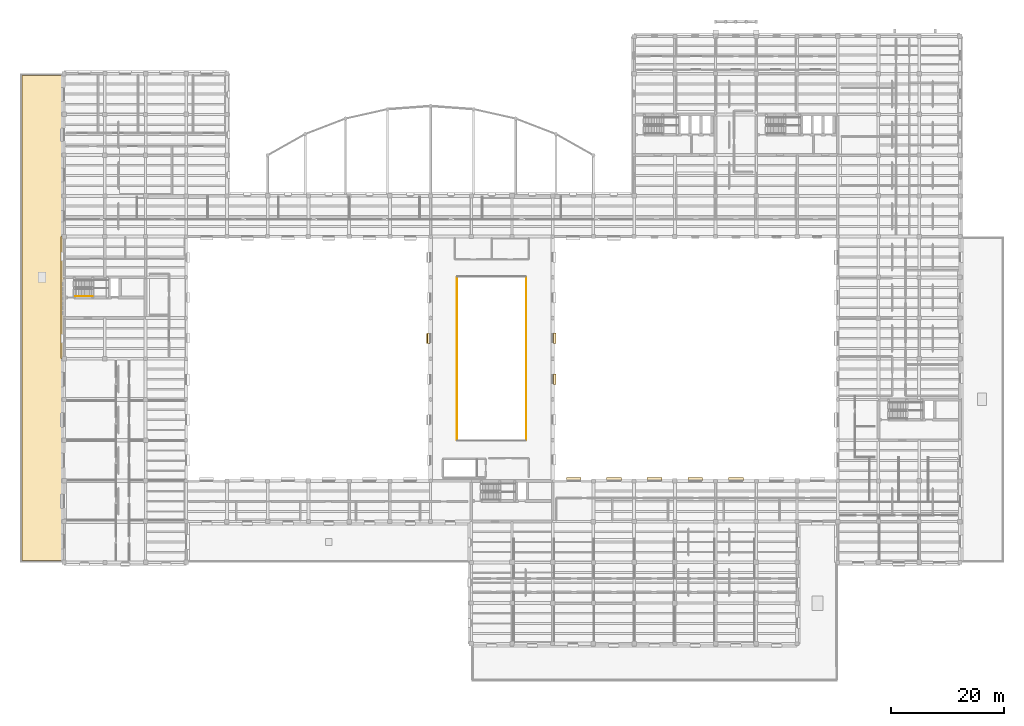
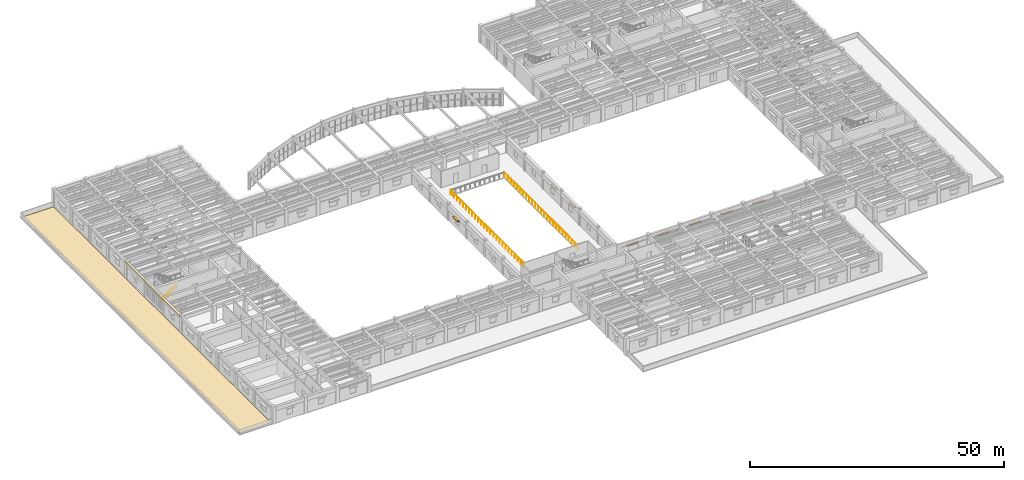
# One storey, part 68 of 76: 10 coverings, 3 railings, 1 shading device.
"""IFC4 building model written with IfcOpenShell, lengths in metres."""

from ifc_helpers import new_model, si_unit, direction, frame, origin, origin_2d, place, context, subcontext, project, spatial, polyline, rectangle, circle, outline, extrude, material, layer, layer_set, type_object, element, save


model = new_model("IFC4")

# Units and contexts
model_context = context("Model", 3, precision=1e-05, world=origin(), true_north=direction((0.0, 1.0)))
body_context = subcontext(model_context, "Body", "Model", "MODEL_VIEW")
ifc_project = project(units=[si_unit("LENGTHUNIT", "METRE"), si_unit("AREAUNIT", "SQUARE_METRE"), si_unit("VOLUMEUNIT", "CUBIC_METRE"), si_unit("PLANEANGLEUNIT", "RADIAN"), si_unit("MASSUNIT", "GRAM", prefix="KILO")], contexts=[model_context])

# Site, building, storey
site_placement = place(None, origin())
site = spatial("IfcSite", under=ifc_project, at=site_placement, CompositionType="ELEMENT")
building_placement = place(site_placement, origin())
building = spatial("IfcBuilding", under=site, at=building_placement, Name="Mithqara Police Headquarters", CompositionType="ELEMENT")
storey_placement = place(building_placement, frame((0.0, 0.0, 5.39990234375)))
storey = spatial("IfcBuildingStorey", under=building, at=storey_placement, Name="L01", CompositionType="ELEMENT", Elevation=5.39990234375)

# Covering
ifc_material_1 = material(Name="Limestone ashlar masonry, 45 MPa", Category="masonry")
ifc_layer_1 = layer(ifc_material_1, 0.320068359375, Name="Limestone ashlar masonry, 45 MPa")
ifc_layer_set_1 = layer_set([ifc_layer_1], Name="Limestone ashlar masonry, 45 MPa")
covering_type_1 = type_object("IfcCoveringType", Name="CORNICE LIMESTONE", PredefinedType="CLADDING", material=ifc_layer_set_1)
covering_1_placement = place(storey_placement, frame((7.52001953125, 67.800048828125, 3.919921875), z_axis=(0.0, 0.0, 1.0), x_axis=(0.0, 1.0, 0.0)))
element("IfcCovering", 1, at=covering_1_placement, inside=storey, type_object=covering_type_1, Name="L01 Projecting Ottoman Limestone Eaves Cornice 17", PredefinedType="CLADDING", context=body_context, shape_type="SweptSolid", body=[
    extrude(rectangle(XDim=21.60009765625, YDim=0.56005859375, at=origin_2d()), origin(), (0.0, 0.0, 1.0), 0.280029296875),
])

# Railings
ifc_material_2 = material(Name="Bronze anodised aluminium 6063-T6", Category="aluminium")
railing_type_1 = type_object("IfcRailingType", Name="GUARD BALUSTRADE1120", PredefinedType="BALUSTRADE", material=ifc_material_2)
railing_1_placement = place(storey_placement, frame((77.280029296875, 42.6201171875, 0.0)))
element("IfcRailing", 2, at=railing_1_placement, inside=storey, type_object=railing_type_1, Name="L01 Gallery Void Balustrade VOID-L01-HALL-W", PredefinedType="BALUSTRADE", context=body_context, shape_type="SweptSolid", body=[
    extrude(circle(Radius=0.02392578125, at=origin_2d()), frame((0.0, 0.0, 1.09619140625), z_axis=(0.0, 1.0, 0.0), x_axis=(-1.0, 0.0, 0.0)), (0.0, 0.0, 1.0), 28.759765625),
    extrude(circle(Radius=0.02099609375, at=origin_2d()), origin(), (0.0, 0.0, 1.0), 1.072021484375),
    extrude(circle(Radius=0.02099609375, at=origin_2d()), frame((0.0, 1.1982421875, 0.0)), (0.0, 0.0, 1.0), 1.072021484375),
    extrude(circle(Radius=0.02099609375, at=origin_2d()), frame((0.0, 2.396728515625, 0.0)), (0.0, 0.0, 1.0), 1.072021484375),
    extrude(circle(Radius=0.02099609375, at=origin_2d()), frame((0.0, 3.594970703125, 0.0)), (0.0, 0.0, 1.0), 1.072021484375),
    extrude(circle(Radius=0.02099609375, at=origin_2d()), frame((0.0, 4.793212890625, 0.0)), (0.0, 0.0, 1.0), 1.072021484375),
    extrude(circle(Radius=0.02099609375, at=origin_2d()), frame((0.0, 5.99169921875, 0.0)), (0.0, 0.0, 1.0), 1.072021484375),
    extrude(circle(Radius=0.02099609375, at=origin_2d()), frame((0.0, 7.18994140625, 0.0)), (0.0, 0.0, 1.0), 1.072021484375),
    extrude(circle(Radius=0.02099609375, at=origin_2d()), frame((0.0, 8.38818359375, 0.0)), (0.0, 0.0, 1.0), 1.072021484375),
    extrude(circle(Radius=0.02099609375, at=origin_2d()), frame((0.0, 9.586669921875, 0.0)), (0.0, 0.0, 1.0), 1.072021484375),
    extrude(circle(Radius=0.02099609375, at=origin_2d()), frame((0.0, 10.784912109375, 0.0)), (0.0, 0.0, 1.0), 1.072021484375),
    extrude(circle(Radius=0.02099609375, at=origin_2d()), frame((0.0, 11.983154296875, 0.0)), (0.0, 0.0, 1.0), 1.072021484375),
    extrude(circle(Radius=0.02099609375, at=origin_2d()), frame((0.0, 13.181640625, 0.0)), (0.0, 0.0, 1.0), 1.072021484375),
    extrude(circle(Radius=0.02099609375, at=origin_2d()), frame((0.0, 14.3798828125, 0.0)), (0.0, 0.0, 1.0), 1.072021484375),
    extrude(circle(Radius=0.02099609375, at=origin_2d()), frame((0.0, 15.578125, 0.0)), (0.0, 0.0, 1.0), 1.072021484375),
    extrude(circle(Radius=0.02099609375, at=origin_2d()), frame((0.0, 16.776611328125, 0.0)), (0.0, 0.0, 1.0), 1.072021484375),
    extrude(circle(Radius=0.02099609375, at=origin_2d()), frame((0.0, 17.974853515625, 0.0)), (0.0, 0.0, 1.0), 1.072021484375),
    extrude(circle(Radius=0.02099609375, at=origin_2d()), frame((0.0, 19.173095703125, 0.0)), (0.0, 0.0, 1.0), 1.072021484375),
    extrude(circle(Radius=0.02099609375, at=origin_2d()), frame((0.0, 20.37158203125, 0.0)), (0.0, 0.0, 1.0), 1.072021484375),
    extrude(circle(Radius=0.02099609375, at=origin_2d()), frame((0.0, 21.56982421875, 0.0)), (0.0, 0.0, 1.0), 1.072021484375),
    extrude(circle(Radius=0.02099609375, at=origin_2d()), frame((0.0, 22.76806640625, 0.0)), (0.0, 0.0, 1.0), 1.072021484375),
    extrude(circle(Radius=0.02099609375, at=origin_2d()), frame((0.0, 23.966552734375, 0.0)), (0.0, 0.0, 1.0), 1.072021484375),
    extrude(circle(Radius=0.02099609375, at=origin_2d()), frame((0.0, 25.164794921875, 0.0)), (0.0, 0.0, 1.0), 1.072021484375),
    extrude(circle(Radius=0.02099609375, at=origin_2d()), frame((0.0, 26.363037109375, 0.0)), (0.0, 0.0, 1.0), 1.072021484375),
    extrude(circle(Radius=0.02099609375, at=origin_2d()), frame((0.0, 27.5615234375, 0.0)), (0.0, 0.0, 1.0), 1.072021484375),
    extrude(circle(Radius=0.02099609375, at=origin_2d()), frame((0.0, 28.759765625, 0.0)), (0.0, 0.0, 1.0), 1.072021484375),
])
railing_2_placement = place(storey_placement, frame((89.52001953125, 42.6201171875, 0.0)))
element("IfcRailing", 3, at=railing_2_placement, inside=storey, type_object=railing_type_1, Name="L01 Gallery Void Balustrade VOID-L01-HALL-E", PredefinedType="BALUSTRADE", context=body_context, shape_type="SweptSolid", body=[
    extrude(circle(Radius=0.02392578125, at=origin_2d()), frame((0.0, 0.0, 1.09619140625), z_axis=(0.0, 1.0, 0.0), x_axis=(-1.0, 0.0, 0.0)), (0.0, 0.0, 1.0), 28.759765625),
    extrude(circle(Radius=0.02099609375, at=origin_2d()), origin(), (0.0, 0.0, 1.0), 1.072021484375),
    extrude(circle(Radius=0.02099609375, at=origin_2d()), frame((0.0, 1.1982421875, 0.0)), (0.0, 0.0, 1.0), 1.072021484375),
    extrude(circle(Radius=0.02099609375, at=origin_2d()), frame((0.0, 2.396728515625, 0.0)), (0.0, 0.0, 1.0), 1.072021484375),
    extrude(circle(Radius=0.02099609375, at=origin_2d()), frame((0.0, 3.594970703125, 0.0)), (0.0, 0.0, 1.0), 1.072021484375),
    extrude(circle(Radius=0.02099609375, at=origin_2d()), frame((0.0, 4.793212890625, 0.0)), (0.0, 0.0, 1.0), 1.072021484375),
    extrude(circle(Radius=0.02099609375, at=origin_2d()), frame((0.0, 5.99169921875, 0.0)), (0.0, 0.0, 1.0), 1.072021484375),
    extrude(circle(Radius=0.02099609375, at=origin_2d()), frame((0.0, 7.18994140625, 0.0)), (0.0, 0.0, 1.0), 1.072021484375),
    extrude(circle(Radius=0.02099609375, at=origin_2d()), frame((0.0, 8.38818359375, 0.0)), (0.0, 0.0, 1.0), 1.072021484375),
    extrude(circle(Radius=0.02099609375, at=origin_2d()), frame((0.0, 9.586669921875, 0.0)), (0.0, 0.0, 1.0), 1.072021484375),
    extrude(circle(Radius=0.02099609375, at=origin_2d()), frame((0.0, 10.784912109375, 0.0)), (0.0, 0.0, 1.0), 1.072021484375),
    extrude(circle(Radius=0.02099609375, at=origin_2d()), frame((0.0, 11.983154296875, 0.0)), (0.0, 0.0, 1.0), 1.072021484375),
    extrude(circle(Radius=0.02099609375, at=origin_2d()), frame((0.0, 13.181640625, 0.0)), (0.0, 0.0, 1.0), 1.072021484375),
    extrude(circle(Radius=0.02099609375, at=origin_2d()), frame((0.0, 14.3798828125, 0.0)), (0.0, 0.0, 1.0), 1.072021484375),
    extrude(circle(Radius=0.02099609375, at=origin_2d()), frame((0.0, 15.578125, 0.0)), (0.0, 0.0, 1.0), 1.072021484375),
    extrude(circle(Radius=0.02099609375, at=origin_2d()), frame((0.0, 16.776611328125, 0.0)), (0.0, 0.0, 1.0), 1.072021484375),
    extrude(circle(Radius=0.02099609375, at=origin_2d()), frame((0.0, 17.974853515625, 0.0)), (0.0, 0.0, 1.0), 1.072021484375),
    extrude(circle(Radius=0.02099609375, at=origin_2d()), frame((0.0, 19.173095703125, 0.0)), (0.0, 0.0, 1.0), 1.072021484375),
    extrude(circle(Radius=0.02099609375, at=origin_2d()), frame((0.0, 20.37158203125, 0.0)), (0.0, 0.0, 1.0), 1.072021484375),
    extrude(circle(Radius=0.02099609375, at=origin_2d()), frame((0.0, 21.56982421875, 0.0)), (0.0, 0.0, 1.0), 1.072021484375),
    extrude(circle(Radius=0.02099609375, at=origin_2d()), frame((0.0, 22.76806640625, 0.0)), (0.0, 0.0, 1.0), 1.072021484375),
    extrude(circle(Radius=0.02099609375, at=origin_2d()), frame((0.0, 23.966552734375, 0.0)), (0.0, 0.0, 1.0), 1.072021484375),
    extrude(circle(Radius=0.02099609375, at=origin_2d()), frame((0.0, 25.164794921875, 0.0)), (0.0, 0.0, 1.0), 1.072021484375),
    extrude(circle(Radius=0.02099609375, at=origin_2d()), frame((0.0, 26.363037109375, 0.0)), (0.0, 0.0, 1.0), 1.072021484375),
    extrude(circle(Radius=0.02099609375, at=origin_2d()), frame((0.0, 27.5615234375, 0.0)), (0.0, 0.0, 1.0), 1.072021484375),
    extrude(circle(Radius=0.02099609375, at=origin_2d()), frame((0.0, 28.759765625, 0.0)), (0.0, 0.0, 1.0), 1.072021484375),
])
ifc_material_3 = material(Name="Steel S355JR", Category="steel")
railing_type_2 = type_object("IfcRailingType", Name="HANDRAIL 920", PredefinedType="HANDRAIL", material=ifc_material_3)
railing_3_placement = place(storey_placement, frame((9.75, 68.050048828125, 0.175048828125)))
element("IfcRailing", 4, at=railing_3_placement, inside=storey, type_object=railing_type_2, Name="L01 ST-03 stair handrail 1", PredefinedType="HANDRAIL", context=body_context, shape_type="SweptSolid", body=[
    extrude(circle(Radius=0.02392578125, at=origin_2d()), frame((0.0, 0.0, 0.8759765625), z_axis=(0.847998304005, 0.0, 0.529998940003), x_axis=(0.0, 1.0, 0.0)), (0.0, 0.0, 1.0), 3.632080078125),
    extrude(circle(Radius=0.02099609375, at=origin_2d()), origin(), (0.0, 0.0, 1.0), 0.851806640625),
    extrude(circle(Radius=0.02099609375, at=origin_2d()), frame((0.77001953125, 0.0, 0.481201171875)), (0.0, 0.0, 1.0), 0.851806640625),
    extrude(circle(Radius=0.02099609375, at=origin_2d()), frame((1.5400390625, 0.0, 0.96240234375)), (0.0, 0.0, 1.0), 0.851806640625),
    extrude(circle(Radius=0.02099609375, at=origin_2d()), frame((2.31005859375, 0.0, 1.44384765625)), (0.0, 0.0, 1.0), 0.851806640625),
    extrude(circle(Radius=0.02099609375, at=origin_2d()), frame((3.080078125, 0.0, 1.925048828125)), (0.0, 0.0, 1.0), 0.851806640625),
])

# Shading device
shading_device_type = type_object("IfcShadingDeviceType", Name="SOLAR LOUVRE BRONZE", PredefinedType="JALOUSIE", material=ifc_material_2)
shading_device_placement = place(storey_placement, frame((72.199951171875, 60.60009765625, 2.590087890625), z_axis=(0.0, 0.0, 1.0), x_axis=(0.0, 1.0, 0.0)))
element("IfcShadingDevice", 5, at=shading_device_placement, inside=storey, type_object=shading_device_type, Name="L01 Window Solar Louvre Hood 4.4", PredefinedType="JALOUSIE", context=body_context, shape_type="SweptSolid", body=[
    extrude(rectangle(XDim=1.75, YDim=0.60009765625, at=origin_2d()), origin(), (0.0, 0.0, 1.0), 0.10009765625),
])

# Coverings
ifc_material_4 = material(Name="Standing seam zinc-aluminium roofing", Category="aluminium")
ifc_layer_2 = layer(ifc_material_4, 0.0400390625, Name="Standing seam zinc-aluminium roofing")
ifc_layer_set_2 = layer_set([ifc_layer_2], Name="Standing seam zinc-aluminium roofing")
covering_type_2 = type_object("IfcCoveringType", Name="STANDING SEAM ROOFING", PredefinedType="ROOFING", material=ifc_layer_set_2)
covering_2_placement = place(storey_placement, origin())
element("IfcCovering", 6, at=covering_2_placement, inside=storey, type_object=covering_type_2, Name="L01 Insulated Roof Waterproofing ROOF-L00-01", PredefinedType="ROOFING", context=body_context, shape_type="SweptSolid", body=[
    extrude(outline(polyline([(0.35009765625, 21.35009765625), (0.35009765625, 107.050048828125), (7.429931640625, 107.050048828125), (7.429931640625, 21.35009765625), (0.35009765625, 21.35009765625)])), origin(), (0.0, 0.0, 1.0), 0.0400390625),
])
ifc_layer_3 = layer(ifc_material_1, 0.239990234375, Name="Limestone ashlar masonry, 45 MPa")
ifc_layer_set_3 = layer_set([ifc_layer_3], Name="Limestone ashlar masonry, 45 MPa")
covering_type_3 = type_object("IfcCoveringType", Name="WINDOW HOOD LIMESTONE", PredefinedType="CLADDING", material=ifc_layer_set_3)
for number, where, z_axis, x_axis, name in (
    (7, (72.260009765625, 60.60009765625, 2.3701171875), (0.0, 0.0, 1.0), (0.0, 1.0, 0.0), "L01 Limestone Window Architrave Hood 4.4"),
    (8, (94.5400390625, 53.39990234375, 2.3701171875), (0.0, 0.0, 1.0), (0.0, 1.0, 0.0), "L01 Limestone Window Architrave Hood 1.3"),
    (9, (94.5400390625, 60.60009765625, 2.3701171875), (0.0, 0.0, 1.0), (0.0, 1.0, 0.0), "L01 Limestone Window Architrave Hood 1.4"),
):
    element("IfcCovering", number, at=place(storey_placement, frame(where, z_axis=z_axis, x_axis=x_axis)), inside=storey, type_object=covering_type_3, Name=name, PredefinedType="CLADDING", context=body_context, shape_type="SweptSolid", body=[
        extrude(rectangle(XDim=1.889892578125, YDim=0.4599609375, at=origin_2d()), origin(), (0.0, 0.0, 1.0), 0.219970703125),
    ])
for number, where, z_axis, x_axis, name in (
    (10, (97.925048828125, 35.739990234375, 2.6201171875), (0.0, 0.0, 1.0), (1.0, 0.0, 0.0), "L01 Limestone Window Architrave Hood 5.1"),
    (11, (105.0, 35.739990234375, 2.6201171875), (0.0, 0.0, 1.0), (1.0, 0.0, 0.0), "L01 Limestone Window Architrave Hood 5.2"),
    (12, (112.199951171875, 35.739990234375, 2.6201171875), (0.0, 0.0, 1.0), (1.0, 0.0, 0.0), "L01 Limestone Window Architrave Hood 5.3"),
    (13, (119.39990234375, 35.739990234375, 2.6201171875), (0.0, 0.0, 1.0), (1.0, 0.0, 0.0), "L01 Limestone Window Architrave Hood 5.4"),
    (14, (126.60009765625, 35.739990234375, 2.6201171875), (0.0, 0.0, 1.0), (1.0, 0.0, 0.0), "L01 Limestone Window Architrave Hood 5.5"),
):
    element("IfcCovering", number, at=place(storey_placement, frame(where, z_axis=z_axis, x_axis=x_axis)), inside=storey, type_object=covering_type_3, Name=name, PredefinedType="CLADDING", context=body_context, shape_type="SweptSolid", body=[
        extrude(rectangle(XDim=2.639892578125, YDim=0.4599609375, at=origin_2d()), origin(), (0.0, 0.0, 1.0), 0.219970703125),
    ])

save(model, "model.ifc")
